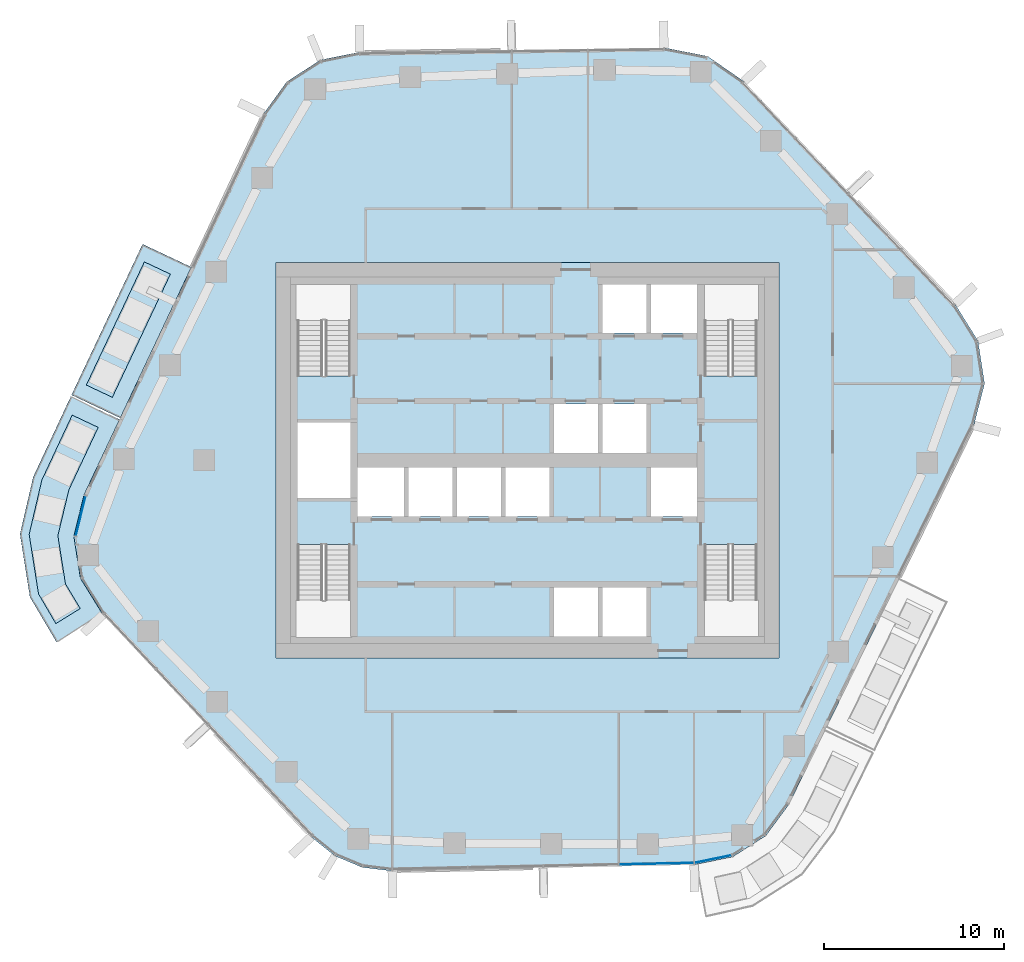
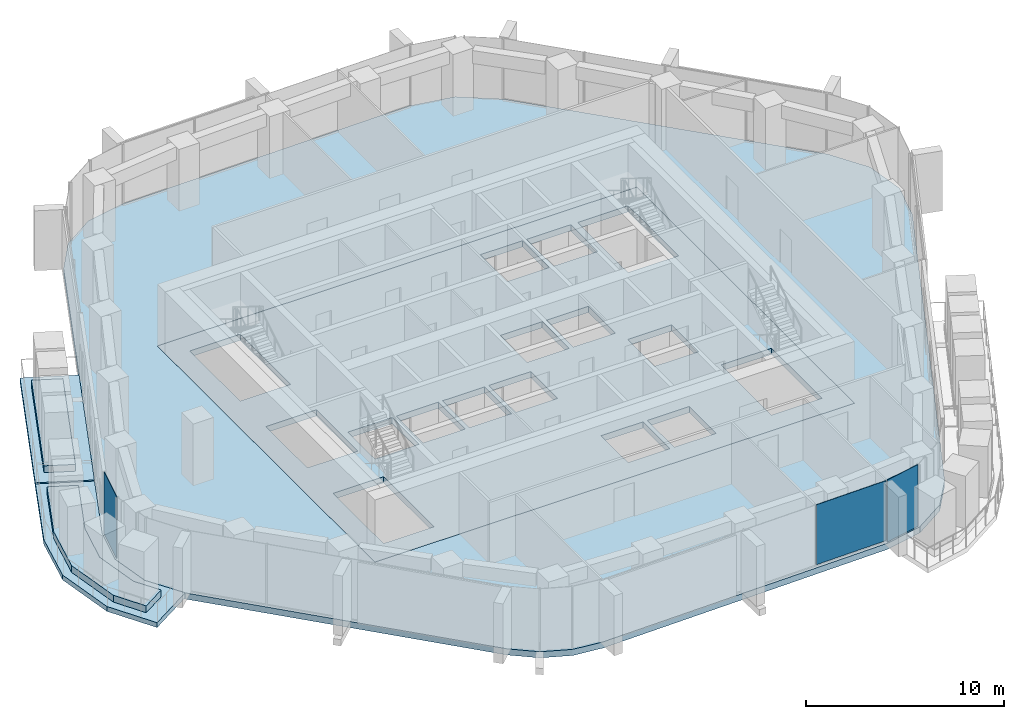
# One storey, part 9 of 18: 6 slabs, 3 plates, 3 elements without a shape of their own.
"""IFC4 building model written with IfcOpenShell, lengths in metres."""

from ifc_helpers import new_model, si_unit, direction, frame, origin, origin_2d, place, context, subcontext, project, spatial, polyline, rectangle, outline, extrude, material, layer, layer_set, type_object, element, aggregate, save


model = new_model("IFC4")

# Units and contexts
model_context = context("Model", 3, precision=1e-05, world=origin(), true_north=direction((0.0, 1.0)))
body_context = subcontext(model_context, "Body", "Model", "MODEL_VIEW")
ifc_project = project(units=[si_unit("LENGTHUNIT", "METRE"), si_unit("AREAUNIT", "SQUARE_METRE"), si_unit("VOLUMEUNIT", "CUBIC_METRE"), si_unit("PLANEANGLEUNIT", "RADIAN"), si_unit("MASSUNIT", "GRAM", prefix="KILO")], contexts=[model_context])

# Site, building, storey
site_placement = place(None, origin())
site = spatial("IfcSite", under=ifc_project, at=site_placement, CompositionType="ELEMENT")
building_placement = place(site_placement, origin())
building = spatial("IfcBuilding", under=site, at=building_placement, Name="Dongbaek Canopy Tower", CompositionType="ELEMENT")
storey_placement = place(building_placement, frame((0.0, 0.0, 162.800048828125)))
storey = spatial("IfcBuildingStorey", under=building, at=storey_placement, Name="L35", CompositionType="ELEMENT", Elevation=162.800048828125)

# Slabs
ifc_material_1 = material(Name="Concrete C40/50", Category="concrete")
ifc_layer_1 = layer(ifc_material_1, 0.300048828125)
ifc_layer_set_1 = layer_set([ifc_layer_1], Name="Balcony slab 300")
slab_type_1 = type_object("IfcSlabType", Name="Balcony slab 300", PredefinedType="FLOOR", material=ifc_layer_set_1)
slab_1_placement = place(storey_placement, frame((0.0, 0.0, -0.300048828125)))
element("IfcSlab", 1, at=slab_1_placement, inside=storey, type_object=slab_type_1, Name="Balcony L35 1", PredefinedType="FLOOR", context=body_context, shape_type="SweptSolid", body=[
    extrude(outline(polyline([(-18.70703125, 10.754638671875), (-22.66259765625, 2.359130859375), (-25.37646484375, 3.6376953125), (-21.4208984375, 12.033203125), (-18.70703125, 10.754638671875)])), origin(), (0.0, 0.0, 1.0), 0.300048828125),
])
slab_2_placement = place(storey_placement, frame((0.0, 0.0, -0.300048828125)))
element("IfcSlab", 2, at=slab_2_placement, inside=storey, type_object=slab_type_1, Name="Balcony L35 3", PredefinedType="FLOOR", context=body_context, shape_type="SweptSolid", body=[
    extrude(outline(polyline([(-22.705078125, 2.2685546875), (-24.682861328125, -1.928955078125), (-25.249755859375, -4.231201171875), (-24.880615234375, -6.5732421875), (-23.6591796875, -8.546630859375), (-26.21044921875, -10.125244140625), (-27.693115234375, -7.616455078125), (-28.246826171875, -4.103515625), (-27.51025390625, -0.92626953125), (-25.4189453125, 3.54736328125), (-22.705078125, 2.2685546875)])), origin(), (0.0, 0.0, 1.0), 0.300048828125),
])

# Curtain wall, plate
ifc_material_2 = material(Name="Aluminium 6063-T6 pale anodised", Category="aluminium")
ifc_layer_2 = layer(ifc_material_2, 0.199951171875)
ifc_layer_set_2 = layer_set([ifc_layer_2], Name="CW-1 unitised tower curtain wall")
curtain_wall_type = type_object("IfcCurtainWallType", Name="CW-1 unitised tower curtain wall", PredefinedType="NOTDEFINED", material=ifc_layer_set_2)
curtain_wall_1_placement = place(storey_placement, origin())
curtain_wall_1 = element("IfcCurtainWall", 3, at=curtain_wall_1_placement, inside=storey, type_object=curtain_wall_type, Name="CW-1 curtain wall K3.1a", PredefinedType="NOTDEFINED")
ifc_material_3 = material(Name="Clear laminated glass", Category="glass")
ifc_layer_3 = layer(ifc_material_3, 0.028076171875)
ifc_layer_set_3 = layer_set([ifc_layer_3], Name="CW-1 glazed panel 28")
plate_type = type_object("IfcPlateType", Name="CW-1 glazed panel 28", PredefinedType="CURTAIN_PANEL", material=ifc_layer_set_3)
plate_1_placement = place(storey_placement, frame((-24.867919921875, -3.09912109375, 0.0), z_axis=(0.0, 0.0, 1.0), x_axis=(-0.23907682537, -0.971000654774, 0.0)))
plate_1 = element("IfcPlate", 4, at=plate_1_placement, type_object=plate_type, Name="CW-1 panel K3.1a.1.1", PredefinedType="CURTAIN_PANEL", context=body_context, shape_type="SweptSolid", body=[
    extrude(rectangle(XDim=2.2568359375, YDim=0.028076171875, at=origin_2d()), origin(), (0.0, 0.0, 1.0), 3.820068359375),
])
aggregate(curtain_wall_1, [plate_1])

curtain_wall_2_placement = place(storey_placement, origin())
curtain_wall_2 = element("IfcCurtainWall", 5, at=curtain_wall_2_placement, inside=storey, type_object=curtain_wall_type, Name="CW-1 curtain wall F4.1", PredefinedType="NOTDEFINED")
plate_2_placement = place(storey_placement, frame((7.185546875, -22.46142578125, 0.1201171875), z_axis=(0.0, 0.0, 1.0), x_axis=(0.999789551029, 0.020514717954, 0.0)))
plate_2 = element("IfcPlate", 6, at=plate_2_placement, type_object=plate_type, Name="CW-1 panel F4.1.4.1", PredefinedType="CURTAIN_PANEL", context=body_context, shape_type="SweptSolid", body=[
    extrude(rectangle(XDim=4.1142578125, YDim=0.028076171875, at=origin_2d()), origin(), (0.0, 0.0, 1.0), 3.699951171875),
])
aggregate(curtain_wall_2, [plate_2])

curtain_wall_3_placement = place(storey_placement, origin())
curtain_wall_3 = element("IfcCurtainWall", 7, at=curtain_wall_3_placement, inside=storey, type_object=curtain_wall_type, Name="CW-1 curtain wall K5.1a", PredefinedType="NOTDEFINED")
plate_3_placement = place(storey_placement, frame((10.33837890625, -22.201171875, 0.0), z_axis=(0.0, 0.0, 1.0), x_axis=(0.979423636575, 0.2018151137, 0.0)))
plate_3 = element("IfcPlate", 8, at=plate_3_placement, type_object=plate_type, Name="CW-1 panel K5.1a.1.1", PredefinedType="CURTAIN_PANEL", context=body_context, shape_type="SweptSolid", body=[
    extrude(rectangle(XDim=2.068603515625, YDim=0.028076171875, at=origin_2d()), origin(), (0.0, 0.0, 1.0), 3.820068359375),
])
aggregate(curtain_wall_3, [plate_3])

# Slabs
ifc_material_4 = material(Name="Concrete C40/50", Category="concrete")
ifc_layer_4 = layer(ifc_material_4, 0.3798828125)
ifc_layer_set_4 = layer_set([ifc_layer_4], Name="Core floor slab 380 Concrete C40/50")
slab_type_2 = type_object("IfcSlabType", Name="Core floor slab 380 Concrete C40/50", PredefinedType="FLOOR", material=ifc_layer_set_4)
slab_3_placement = place(storey_placement, frame((0.0, 0.0, -0.380126953125)))
element("IfcSlab", 9, at=slab_3_placement, inside=storey, type_object=slab_type_2, Name="Core floor slab L35", PredefinedType="FLOOR", context=body_context, shape_type="SweptSolid", body=[
    extrude(outline(polyline([(14.0, -11.0), (14.0, 11.0), (-14.0, 11.0), (-14.0, -11.0), (14.0, -11.0)]), holes=[polyline([(-12.800048828125, 2.10009765625), (-9.85009765625, 2.10009765625), (-9.85009765625, -2.10009765625), (-12.800048828125, -2.10009765625), (-12.800048828125, 2.10009765625)]), polyline([(6.625, 9.800048828125), (6.625, 7.074951171875), (4.175048828125, 7.074951171875), (4.175048828125, 9.800048828125), (6.625, 9.800048828125)]), polyline([(9.449951171875, 7.074951171875), (6.875, 7.074951171875), (6.875, 9.800048828125), (9.449951171875, 9.800048828125), (9.449951171875, 7.074951171875)]), polyline([(3.925048828125, 3.125), (3.925048828125, 0.39990234375), (1.47509765625, 0.39990234375), (1.47509765625, 3.125), (3.925048828125, 3.125)]), polyline([(4.175048828125, 3.125), (6.625, 3.125), (6.625, 0.39990234375), (4.175048828125, 0.39990234375), (4.175048828125, 3.125)]), polyline([(-9.449951171875, -0.39990234375), (-6.875, -0.39990234375), (-6.875, -3.125), (-9.449951171875, -3.125), (-9.449951171875, -0.39990234375)]), polyline([(-6.625, -0.39990234375), (-4.175048828125, -0.39990234375), (-4.175048828125, -3.125), (-6.625, -3.125), (-6.625, -0.39990234375)]), polyline([(-3.925048828125, -0.39990234375), (-1.47509765625, -0.39990234375), (-1.47509765625, -3.125), (-3.925048828125, -3.125), (-3.925048828125, -0.39990234375)]), polyline([(-1.22509765625, -0.39990234375), (1.22509765625, -0.39990234375), (1.22509765625, -3.125), (-1.22509765625, -3.125), (-1.22509765625, -0.39990234375)]), polyline([(9.449951171875, -3.125), (6.875, -3.125), (6.875, -0.39990234375), (9.449951171875, -0.39990234375), (9.449951171875, -3.125)]), polyline([(1.47509765625, -9.800048828125), (1.47509765625, -7.074951171875), (3.925048828125, -7.074951171875), (3.925048828125, -9.800048828125), (1.47509765625, -9.800048828125)]), polyline([(4.175048828125, -9.800048828125), (4.175048828125, -7.074951171875), (6.625, -7.074951171875), (6.625, -9.800048828125), (4.175048828125, -9.800048828125)]), polyline([(12.800048828125, 4.70068359375), (12.800048828125, 9.800048828125), (9.85009765625, 9.800048828125), (9.85009765625, 4.70068359375), (12.800048828125, 4.70068359375)]), polyline([(-9.85009765625, 4.70068359375), (-9.85009765625, 9.800048828125), (-12.800048828125, 9.800048828125), (-12.800048828125, 4.70068359375), (-9.85009765625, 4.70068359375)]), polyline([(9.85009765625, -4.70068359375), (9.85009765625, -9.800048828125), (12.800048828125, -9.800048828125), (12.800048828125, -4.70068359375), (9.85009765625, -4.70068359375)]), polyline([(-12.800048828125, -4.70068359375), (-12.800048828125, -9.800048828125), (-9.85009765625, -9.800048828125), (-9.85009765625, -4.70068359375), (-12.800048828125, -4.70068359375)])]), origin(), (0.0, 0.0, 1.0), 0.380126953125),
])
ifc_material_5 = material(Name="Concrete C40", Category="concrete")
ifc_layer_5 = layer(ifc_material_5, 0.3798828125)
ifc_layer_set_5 = layer_set([ifc_layer_5], Name="RC FLAT PLATE 380 Concrete C40")
slab_type_3 = type_object("IfcSlabType", Name="RC FLAT PLATE 380 Concrete C40", PredefinedType="FLOOR", material=ifc_layer_set_5)
slab_4_placement = place(storey_placement, frame((0.0, 0.0, -0.380126953125)))
element("IfcSlab", 10, at=slab_4_placement, inside=storey, type_object=slab_type_3, Name="SLAB:L35", PredefinedType="FLOOR", context=body_context, shape_type="SweptSolid", body=[
    extrude(outline(polyline([(14.564208984375, -19.1513671875), (13.267822265625, -20.904296875), (11.4306640625, -22.078125), (9.29541015625, -22.518310546875), (-7.531005859375, -22.863525390625), (-9.1904296875, -22.664794921875), (-10.73046875, -22.01611328125), (-12.031982421875, -20.967529296875), (-23.633056640625, -8.589111328125), (-24.880615234375, -6.572998046875), (-25.249755859375, -4.231201171875), (-24.682861328125, -1.92919921875), (-14.6875, 19.285888671875), (-13.38671875, 21.083984375), (-11.520751953125, 22.286376953125), (-9.345703125, 22.727783203125), (7.61376953125, 22.97021484375), (10.029541015625, 22.499755859375), (12.053466796875, 21.09912109375), (23.817626953125, 8.69140625), (25.090576171875, 6.645751953125), (25.4560546875, 4.264404296875), (24.85546875, 1.93115234375), (14.564208984375, -19.1513671875)]), holes=[polyline([(14.0, 11.0), (-14.0, 11.0), (-14.0, -11.0), (14.0, -11.0), (14.0, 11.0)])]), origin(), (0.0, 0.0, 1.0), 0.380126953125),
])
ifc_material_6 = material(Name="Reinforced concrete C40/50 planter box with soil", Category="concrete")
ifc_layer_6 = layer(ifc_material_6, 0.419921875)
ifc_layer_set_6 = layer_set([ifc_layer_6], Name="Terrace planter box 1600 x 420")
slab_type_4 = type_object("IfcSlabType", Name="Terrace planter box 1600 x 420", PredefinedType="USERDEFINED", material=ifc_layer_set_6)
slab_5_placement = place(storey_placement, origin())
element("IfcSlab", 11, at=slab_5_placement, inside=storey, type_object=slab_type_4, Name="Balcony planter L35 1", ObjectType="PLANTER", PredefinedType="USERDEFINED", context=body_context, shape_type="SweptSolid", body=[
    extrude(outline(polyline([(-19.87451171875, 10.364990234375), (-23.105224609375, 3.50732421875), (-24.552734375, 4.189208984375), (-21.32177734375, 11.046875), (-19.87451171875, 10.364990234375)])), origin(), (0.0, 0.0, 1.0), 0.419921875),
])
slab_6_placement = place(storey_placement, origin())
element("IfcSlab", 12, at=slab_6_placement, inside=storey, type_object=slab_type_4, Name="Balcony planter L35 3", ObjectType="PLANTER", PredefinedType="USERDEFINED", context=body_context, shape_type="SweptSolid", body=[
    extrude(outline(polyline([(-23.893798828125, 1.833740234375), (-25.521728515625, -1.631591796875), (-26.138916015625, -4.193359375), (-25.71484375, -6.882568359375), (-24.8896484375, -8.249755859375), (-26.250244140625, -9.091552734375), (-27.215087890625, -7.439208984375), (-27.7373046875, -4.125244140625), (-27.029541015625, -1.0966796875), (-25.34130859375, 2.515869140625), (-23.893798828125, 1.833740234375)])), origin(), (0.0, 0.0, 1.0), 0.419921875),
])

save(model, "model.ifc")
